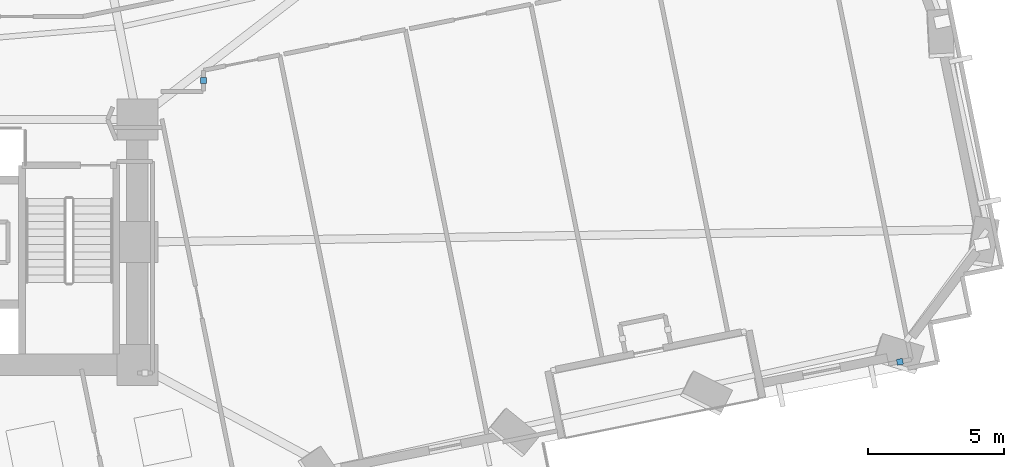
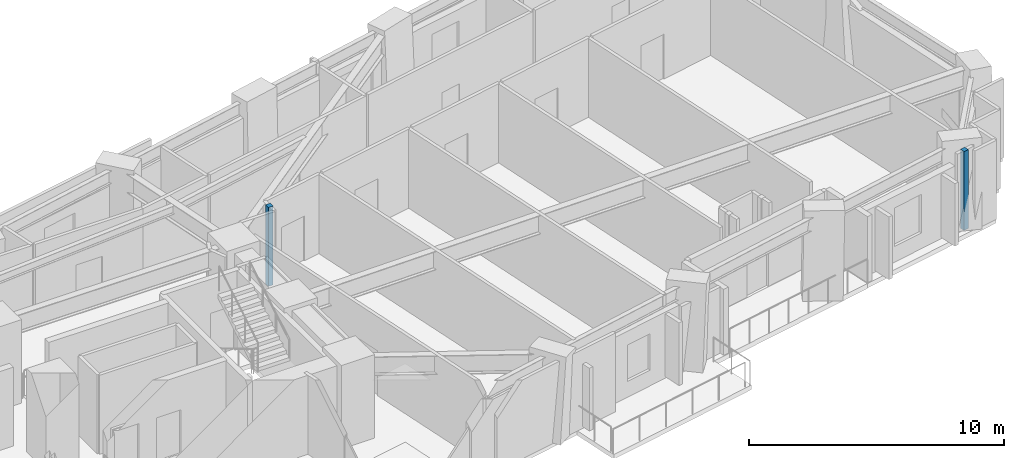
# One storey, part 4 of 16: 2 plates.
"""IFC4 building model written with IfcOpenShell, lengths in metres."""

import ifcopenshell
import ifcopenshell.guid

model = None  # the IFC model being written
_history = None  # IfcOwnerHistory: only IFC2X3 demands one
_inside = {}  # id of a spatial element -> (the spatial element, [elements in it])
_under = {}  # id of a project, library or spatial element -> (it, [spatial elements below it])
_declared = {}  # id of a project -> (the project, [libraries it declares])
_typed = {}  # id of a type object -> (the type object, [elements of that type])
_made_of = {}  # id of a material, layer set ... -> (it, [elements and type objects made of it])


def new_model(schema):
    """Start an empty IFC model of exactly this schema.

    Asked for "IFC4X3", IfcOpenShell would pick the latest addendum, in which some entities
    have other attributes; the version numbers below select the first issue.
    IFC2X3 requires an IfcOwnerHistory on every rooted entity: one is made here for all.
    """
    global model, _history
    if schema == "IFC4X3":
        model = ifcopenshell.file(schema_version=(4, 3, 0, 0))
    else:
        model = ifcopenshell.file(schema=schema)
    _inside.clear()
    _under.clear()
    _declared.clear()
    _typed.clear()
    _made_of.clear()
    _history = None
    if model.schema == "IFC2X3":
        org = make("IfcOrganization", Name="unknown")
        user = make(
            "IfcPersonAndOrganization",
            ThePerson=make("IfcPerson", FamilyName="unknown"),
            TheOrganization=org,
        )
        app = make(
            "IfcApplication",
            ApplicationDeveloper=org,
            Version="unknown",
            ApplicationFullName="unknown",
            ApplicationIdentifier="unknown",
        )
        _history = make(
            "IfcOwnerHistory",
            OwningUser=user,
            OwningApplication=app,
            ChangeAction="ADDED",
            CreationDate=0,
        )
    return model


def make(cls, **values):
    """One entity of the class cls with the attributes given. An attribute that is None is left unset."""
    return model.create_entity(
        cls, **{name: value for name, value in values.items() if value is not None}
    )


def rooted(cls, **values):
    """An entity with a GlobalId (a new one), such as an element, a storey or a relation."""
    return make(cls, GlobalId=ifcopenshell.guid.new(), OwnerHistory=_history, **values)


def si_unit(unit_type, name, prefix=None):
    """IfcSIUnit, for example si_unit("LENGTHUNIT", "METRE", prefix="MILLI")."""
    return make("IfcSIUnit", UnitType=unit_type, Prefix=prefix, Name=name)


def assignment(units):
    """IfcUnitAssignment: the units of a project."""
    return None if units is None else make("IfcUnitAssignment", Units=units)


def point(xyz):
    """IfcCartesianPoint."""
    return None if xyz is None else make("IfcCartesianPoint", Coordinates=xyz)


def direction(xyz):
    """IfcDirection."""
    return None if xyz is None else make("IfcDirection", DirectionRatios=xyz)


def frame(location, z_axis=None, x_axis=None):
    """IfcAxis2Placement3D, a coordinate frame: its origin and axes. An axis left out is left unset."""
    return make(
        "IfcAxis2Placement3D",
        Location=point(location),
        Axis=direction(z_axis),
        RefDirection=direction(x_axis),
    )


def frame_2d(location, x_axis=None):
    """IfcAxis2Placement2D, a coordinate frame in the plane: its origin and x axis."""
    return make(
        "IfcAxis2Placement2D", Location=point(location), RefDirection=direction(x_axis)
    )


def origin():
    """The frame at (0, 0, 0) with its axes left unset."""
    return frame((0.0, 0.0, 0.0))


def origin_2d():
    """The frame at (0, 0) in the plane with its x axis left unset."""
    return frame_2d((0.0, 0.0))


def place(relative_to, where):
    """IfcLocalPlacement: puts the frame where relative to a parent placement (None: the world)."""
    return make(
        "IfcLocalPlacement", PlacementRelTo=relative_to, RelativePlacement=where
    )


def context(
    kind, dimensions, precision=None, world=None, true_north=None, identifier=None
):
    """IfcGeometricRepresentationContext, for example the 3D "Model" context."""
    return make(
        "IfcGeometricRepresentationContext",
        ContextIdentifier=identifier,
        ContextType=kind,
        CoordinateSpaceDimension=dimensions,
        Precision=precision,
        WorldCoordinateSystem=world,
        TrueNorth=true_north,
    )


def subcontext(parent, identifier, kind, view, scale=None):
    """IfcGeometricRepresentationSubContext, for example "Body" below "Model"."""
    return make(
        "IfcGeometricRepresentationSubContext",
        ContextIdentifier=identifier,
        ContextType=kind,
        ParentContext=parent,
        TargetScale=scale,
        TargetView=view,
    )


def project(units=None, contexts=None):
    """IfcProject with its units and contexts."""
    return rooted(
        "IfcProject",
        Name="project",
        RepresentationContexts=contexts,
        UnitsInContext=assignment(units),
    )


def spatial(cls, under=None, at=None, **own):
    """A site, building, storey or space (cls), placed at a placement, below another one or the project."""
    s = rooted(cls, ObjectPlacement=at, **own)
    if under is not None:
        _under.setdefault(under.id(), (under, []))[1].append(s)
    return s


def profile(cls, at=None, kind="AREA", **sizes):
    """A parametric profile (cls). Its sizes go by their IFC names, for example OverallWidth=200.0."""
    return make(cls, ProfileType=kind, Position=at, **sizes)


def rectangle(**sizes):
    """IfcRectangleProfileDef."""
    return profile("IfcRectangleProfileDef", **sizes)


def extrude(swept, where, along, depth):
    """IfcExtrudedAreaSolid: the profile swept, set in the frame where, extruded along a direction by depth."""
    return make(
        "IfcExtrudedAreaSolid",
        SweptArea=swept,
        Position=where,
        ExtrudedDirection=direction(along),
        Depth=depth,
    )


def shape(context_of_items, identifier, shape_type, items):
    """IfcShapeRepresentation: the items that make up one representation, for example the "Body"."""
    return make(
        "IfcShapeRepresentation",
        ContextOfItems=context_of_items,
        RepresentationIdentifier=identifier,
        RepresentationType=shape_type,
        Items=items,
    )


def material(Name=None, Category=None):
    """IfcMaterial."""
    return make("IfcMaterial", Name=Name, Category=Category)


def layer(
    of_material, thickness, ventilated=None, Name=None, Category=None, Priority=None
):
    """IfcMaterialLayer: one layer of a wall or slab, of a material (None: an air gap)."""
    return make(
        "IfcMaterialLayer",
        Material=of_material,
        LayerThickness=thickness,
        IsVentilated=ventilated,
        Name=Name,
        Category=Category,
        Priority=Priority,
    )


def layer_set(layers, Name=None):
    """IfcMaterialLayerSet."""
    return make("IfcMaterialLayerSet", MaterialLayers=layers, LayerSetName=Name)


def made_of(thing, what):
    """Note that an element or type object is made of a material, layer set ...; save() writes the relation."""
    if what is not None:
        _made_of.setdefault(what.id(), (what, []))[1].append(thing)
    return thing


def type_object(cls, material=None, **own):
    """A type object (cls), such as IfcWallType, which elements share."""
    return made_of(rooted(cls, **own), material)


def element(
    cls,
    number,
    at=None,
    inside=None,
    cuts=None,
    type_object=None,
    material=None,
    context=None,
    identifier="Body",
    shape_type=None,
    held_by="IfcProductDefinitionShape",
    body=None,
    shapes=None,
    **own,
):
    """One element of the class cls, such as IfcWall. Its Tag is "e" and its number.

    at: its placement. inside: the storey or other place that contains it. cuts: it is an
    opening in that element (IfcRelVoidsElement). A single representation is given by context,
    identifier, shape_type and body (its items); several are given by shapes. held_by: the class
    of the entity that holds the representations. save() writes the other relations.
    """
    e = rooted(cls, Tag="e%d" % number, ObjectPlacement=at, **own)
    if body is not None:
        shapes = [shape(context, identifier, shape_type, body)]
    if shapes is not None:
        e.Representation = make(held_by, Representations=shapes)
    if inside is not None:
        _inside.setdefault(inside.id(), (inside, []))[1].append(e)
    if cuts is not None:
        rooted(
            "IfcRelVoidsElement", RelatingBuildingElement=cuts, RelatedOpeningElement=e
        )
    if type_object is not None:
        _typed.setdefault(type_object.id(), (type_object, []))[1].append(e)
    return made_of(e, material)


def aggregate(whole, parts):
    """IfcRelAggregates: a whole, such as a stair, and the parts it consists of."""
    return rooted("IfcRelAggregates", RelatingObject=whole, RelatedObjects=parts)


def save(model, path):
    """Write the relations noted so far, then the file.

    IfcRelAggregates (storeys below a building ...), IfcRelContainedInSpatialStructure (elements
    in a storey), IfcRelDefinesByType, IfcRelAssociatesMaterial and IfcRelDeclares: one each for
    every whole, place, type object, material and project.
    """
    for whole, parts in _under.values():
        aggregate(whole, parts)
    for where, things in _inside.values():
        rooted(
            "IfcRelContainedInSpatialStructure",
            RelatedElements=things,
            RelatingStructure=where,
        )
    for kind, things in _typed.values():
        rooted("IfcRelDefinesByType", RelatedObjects=things, RelatingType=kind)
    for what, things in _made_of.values():
        rooted("IfcRelAssociatesMaterial", RelatedObjects=things, RelatingMaterial=what)
    for by, libraries in _declared.values():
        rooted("IfcRelDeclares", RelatingContext=by, RelatedDefinitions=libraries)
    model.write(path)


model = new_model("IFC4")

# Units and contexts
model_context = context("Model", 3, precision=1e-05, world=origin(), true_north=direction((0.0, 1.0)))
body_context = subcontext(model_context, "Body", "Model", "MODEL_VIEW")
ifc_project = project(units=[si_unit("LENGTHUNIT", "METRE"), si_unit("AREAUNIT", "SQUARE_METRE"), si_unit("VOLUMEUNIT", "CUBIC_METRE"), si_unit("PLANEANGLEUNIT", "RADIAN"), si_unit("MASSUNIT", "GRAM", prefix="KILO")], contexts=[model_context])

# Site, building, storey
site_placement = place(None, origin())
site = spatial("IfcSite", under=ifc_project, at=site_placement, CompositionType="ELEMENT")
building_placement = place(site_placement, origin())
building = spatial("IfcBuilding", under=site, at=building_placement, Name="Gaonmaruhae Medical Tower", CompositionType="ELEMENT")
storey_placement = place(building_placement, frame((0.0, 0.0, 71.0)))
storey = spatial("IfcBuildingStorey", under=building, at=storey_placement, Name="L16", CompositionType="ELEMENT", Elevation=71.0)

# Plates
ifc_material = material(Name="Anodised aluminium 6063-T6", Category="aluminium")
ifc_layer = layer(ifc_material, 0.011962890625)
ifc_layer_set = layer_set([ifc_layer], Name="Anodised aluminium 6063-T6")
plate_type = type_object("IfcPlateType", Name="PP-01 Interior Partition Corner Stiffener Plate", PredefinedType="SHEET", material=ifc_layer_set)
for number, where, z_axis, x_axis, name in (
    (1, (38.030029296875, 18.2265625, 0.0), (0.0, 0.0, 1.0), (0.0, 1.0, 0.0), "L16 Partition Corner Stiffener Plate PLT-L16-JGP-PW022"),
    (2, (63.569580078125, 7.910888671875, 0.0), (0.0, 0.0, 1.0), (-0.980264274482, -0.197691558178, 0.0), "L16 Partition Corner Stiffener Plate PLT-L16-JGP-PW038"),
):
    element("IfcPlate", number, at=place(storey_placement, frame(where, z_axis=z_axis, x_axis=x_axis)), inside=storey, type_object=plate_type, Name=name, PredefinedType="SHEET", context=body_context, shape_type="SweptSolid", body=[
        extrude(rectangle(XDim=0.219970703125, YDim=0.219970703125, at=origin_2d()), origin(), (0.0, 0.0, 1.0), 3.780029296875),
    ])

save(model, "model.ifc")
